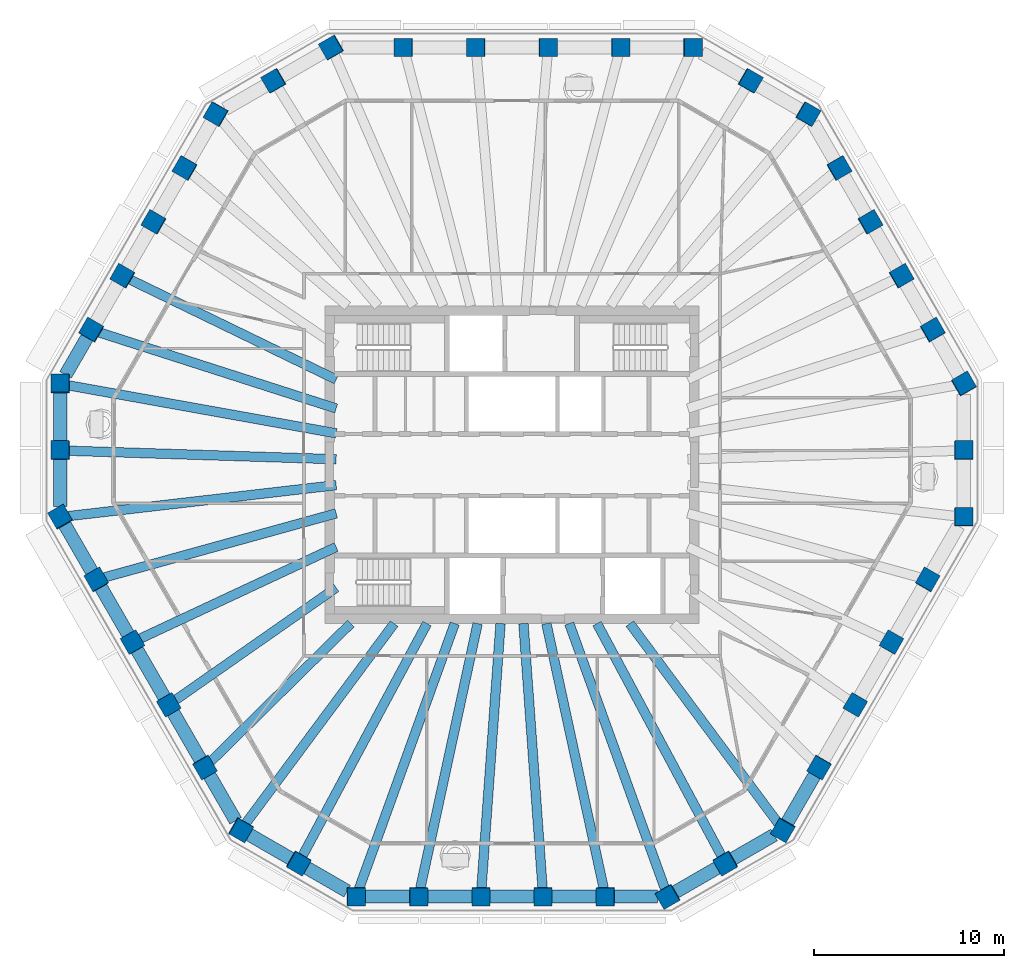
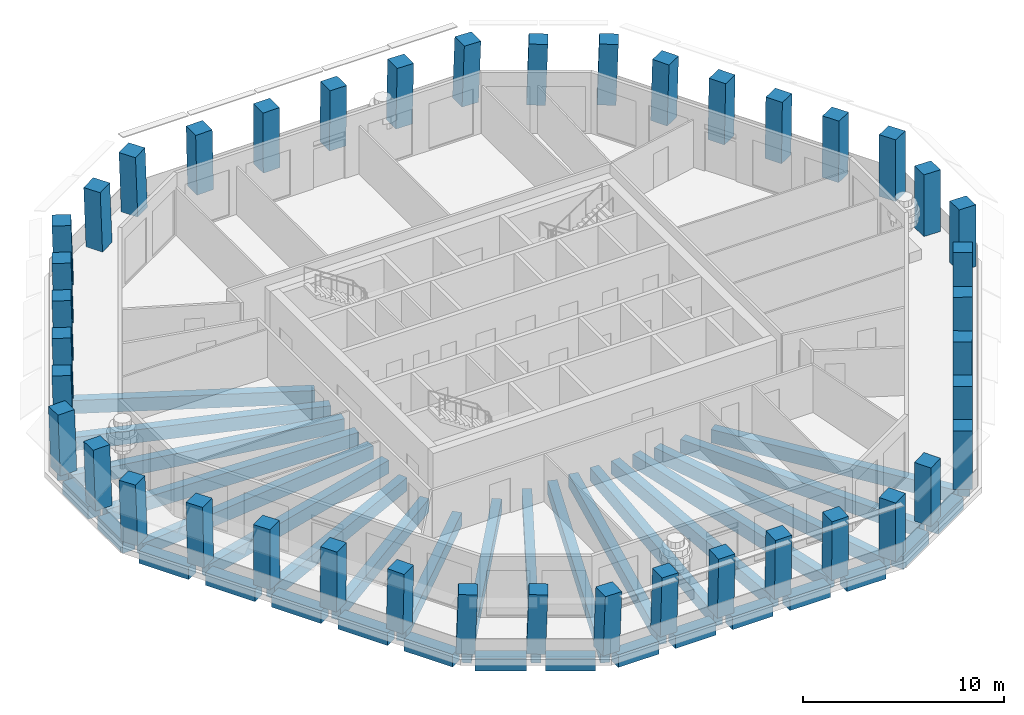
# One storey, part 1 of 11: 42 columns, 37 beams.
"""IFC4 building model written with IfcOpenShell, lengths in metres."""

from ifc_helpers import new_model, si_unit, direction, frame, origin, origin_2d, place, context, subcontext, project, spatial, rectangle, extrude, material, material_profile, profile_set, type_object, element, save


model = new_model("IFC4")

# Units and contexts
model_context = context("Model", 3, precision=1e-05, world=origin(), true_north=direction((0.0, 1.0)))
body_context = subcontext(model_context, "Body", "Model", "MODEL_VIEW")
ifc_project = project(units=[si_unit("LENGTHUNIT", "METRE"), si_unit("AREAUNIT", "SQUARE_METRE"), si_unit("VOLUMEUNIT", "CUBIC_METRE"), si_unit("PLANEANGLEUNIT", "RADIAN"), si_unit("MASSUNIT", "GRAM", prefix="KILO")], contexts=[model_context])

# Site, building, storey
site_placement = place(None, origin())
site = spatial("IfcSite", under=ifc_project, at=site_placement, CompositionType="ELEMENT")
building_placement = place(site_placement, origin())
building = spatial("IfcBuilding", under=site, at=building_placement, Name="Frailejon Research Tower", CompositionType="ELEMENT")
storey_placement = place(building_placement, frame((0.0, 0.0, 287.0)))
storey = spatial("IfcBuildingStorey", under=building, at=storey_placement, Name="L63", CompositionType="ELEMENT", Elevation=287.0)

# Columns
ifc_material_1 = material(Name="Concrete C50/60", Category="concrete")
ifc_material_profile_1 = material_profile(ifc_material_1, rectangle(XDim=0.949951171875, YDim=0.949951171875, at=origin_2d()), Name="Column 950")
ifc_profile_set_1 = profile_set([ifc_material_profile_1], Name="Concrete C50/60")
column_type = type_object("IfcColumnType", Name="Column 950", PredefinedType="COLUMN", material=ifc_profile_set_1)
for number, where, z_axis, x_axis, name in (
    (1, (23.75927734375, -2.747802734375, 0.0), (0.018115165867, 0.031417446337, 0.999342176049), (-0.000700571395, 0.999506341588, -0.031409908073), "Column C01"),
    (2, (23.75927734375, 0.754150390625, 0.0), (0.018115165867, 0.031417446337, 0.999342176049), (-0.000700571395, 0.999506341588, -0.031409908073), "Column C02"),
    (3, (23.75927734375, 4.256103515625, 0.0), (0.018115165867, 0.031417446337, 0.999342176049), (-0.500524543364, 0.865532325635, -0.018137661659), "Column C03"),
):
    element("IfcColumn", number, at=place(storey_placement, frame(where, z_axis=z_axis, x_axis=x_axis)), inside=storey, type_object=column_type, Name=name, PredefinedType="COLUMN", context=body_context, shape_type="SweptSolid", body=[
        extrude(rectangle(XDim=0.949951171875, YDim=0.949951171875, at=origin_2d()), origin(), (0.0, 0.0, 1.0), 3.65234375),
    ])
column_1_placement = place(storey_placement, frame((22.12060546875, 7.094482421875, 0.0), z_axis=(0.021727128018, 0.025136615799, 0.999447888814), x_axis=(-0.501407060892, 0.86514336922, -0.010858636257)))
element("IfcColumn", 4, at=column_1_placement, inside=storey, type_object=column_type, Name="Column C04", PredefinedType="COLUMN", context=body_context, shape_type="SweptSolid", body=[
    extrude(rectangle(XDim=0.949951171875, YDim=0.949951171875, at=origin_2d()), origin(), (0.0, 0.0, 1.0), 3.65185546875),
])
for number, where, z_axis, x_axis, name in (
    (5, (20.481689453125, 9.932861328125, 0.0), (0.025405336763, 0.018853434124, 0.999499433159), (-0.499535386528, 0.866285820665, -0.003643421709), "Column C05"),
    (6, (18.843017578125, 12.771240234375, 0.0), (0.029015583354, 0.012568962375, 0.99949993352), (-0.499848966802, 0.86610502362, 0.003619177736), "Column C06"),
):
    element("IfcColumn", number, at=place(storey_placement, frame(where, z_axis=z_axis, x_axis=x_axis)), inside=storey, type_object=column_type, Name=name, PredefinedType="COLUMN", context=body_context, shape_type="SweptSolid", body=[
        extrude(rectangle(XDim=0.949951171875, YDim=0.949951171875, at=origin_2d()), origin(), (0.0, 0.0, 1.0), 3.651611328125),
    ])
column_2_placement = place(storey_placement, frame((17.204345703125, 15.609619140625, 0.0), z_axis=(0.032624119908, 0.006284154245, 0.999447935715), x_axis=(-0.500158635794, 0.8658654173, 0.01088201104)))
element("IfcColumn", 7, at=column_2_placement, inside=storey, type_object=column_type, Name="Column C07", PredefinedType="COLUMN", context=body_context, shape_type="SweptSolid", body=[
    extrude(rectangle(XDim=0.949951171875, YDim=0.949951171875, at=origin_2d()), origin(), (0.0, 0.0, 1.0), 3.65185546875),
])
for number, where, z_axis, x_axis, name in (
    (8, (15.565673828125, 18.447998046875, 0.0), (0.036230378439, 0.0, 0.99934346432), (-0.865314641241, 0.500246354177, 0.031371273281), "Column C08"),
    (9, (12.53271484375, 20.198974609375, 0.0), (0.036297136169, 0.0, 0.99934104184), (-0.865312543657, 0.500246354177, 0.031429077673), "Column C09"),
    (10, (9.5, 21.949951171875, 0.0), (0.036297136169, 0.0, 0.99934104184), (-0.99934104184, 0.0, 0.036297136169), "Column C10"),
):
    element("IfcColumn", number, at=place(storey_placement, frame(where, z_axis=z_axis, x_axis=x_axis)), inside=storey, type_object=column_type, Name=name, PredefinedType="COLUMN", context=body_context, shape_type="SweptSolid", body=[
        extrude(rectangle(XDim=0.949951171875, YDim=0.949951171875, at=origin_2d()), origin(), (0.0, 0.0, 1.0), 3.65234375),
    ])
column_3_placement = place(storey_placement, frame((5.699951171875, 21.949951171875, 0.0), z_axis=(0.021800837506, 0.0, 0.999762333499), x_axis=(-0.999762333499, 0.0, 0.021800837506)))
element("IfcColumn", 11, at=column_3_placement, inside=storey, type_object=column_type, Name="Column C11", PredefinedType="COLUMN", context=body_context, shape_type="SweptSolid", body=[
    extrude(rectangle(XDim=0.949951171875, YDim=0.949951171875, at=origin_2d()), origin(), (0.0, 0.0, 1.0), 3.65087890625),
])
for number, where, z_axis, x_axis, name in (
    (12, (1.89990234375, 21.949951171875, 0.0), (0.00729077612, 0.0, 0.999973421939), (-0.999973421939, 0.0, 0.00729077612), "Column C12"),
    (13, (-1.89990234375, 21.949951171875, 0.0), (-0.00729077612, 0.0, 0.999973421939), (-0.999973421939, 0.0, -0.00729077612), "Column C13"),
):
    element("IfcColumn", number, at=place(storey_placement, frame(where, z_axis=z_axis, x_axis=x_axis)), inside=storey, type_object=column_type, Name=name, PredefinedType="COLUMN", context=body_context, shape_type="SweptSolid", body=[
        extrude(rectangle(XDim=0.949951171875, YDim=0.949951171875, at=origin_2d()), origin(), (0.0, 0.0, 1.0), 3.64990234375),
    ])
column_4_placement = place(storey_placement, frame((-5.699951171875, 21.949951171875, 0.0), z_axis=(-0.021800837506, 0.0, 0.999762333499), x_axis=(-0.999762333499, 0.0, -0.021800837506)))
element("IfcColumn", 14, at=column_4_placement, inside=storey, type_object=column_type, Name="Column C14", PredefinedType="COLUMN", context=body_context, shape_type="SweptSolid", body=[
    extrude(rectangle(XDim=0.949951171875, YDim=0.949951171875, at=origin_2d()), origin(), (0.0, 0.0, 1.0), 3.65087890625),
])
for number, where, z_axis, x_axis, name in (
    (15, (-9.5, 21.949951171875, 0.0), (-0.036297136169, 0.0, 0.99934104184), (-0.865312543657, -0.500246354177, -0.031429077673), "Column C15"),
    (16, (-12.53271484375, 20.198974609375, 0.0), (-0.036297136169, 0.0, 0.99934104184), (-0.865312543657, -0.500246354177, -0.031429077673), "Column C16"),
    (17, (-15.565673828125, 18.447998046875, 0.0), (-0.036230378439, 0.0, 0.99934346432), (-0.499425499283, -0.866167613071, -0.018106262248), "Column C17"),
):
    element("IfcColumn", number, at=place(storey_placement, frame(where, z_axis=z_axis, x_axis=x_axis)), inside=storey, type_object=column_type, Name=name, PredefinedType="COLUMN", context=body_context, shape_type="SweptSolid", body=[
        extrude(rectangle(XDim=0.949951171875, YDim=0.949951171875, at=origin_2d()), origin(), (0.0, 0.0, 1.0), 3.65234375),
    ])
column_5_placement = place(storey_placement, frame((-17.204345703125, 15.609619140625, 0.0), z_axis=(-0.032624119908, 0.006284154245, 0.999447935715), x_axis=(-0.500158635794, -0.8658654173, -0.01088201104)))
element("IfcColumn", 18, at=column_5_placement, inside=storey, type_object=column_type, Name="Column C18", PredefinedType="COLUMN", context=body_context, shape_type="SweptSolid", body=[
    extrude(rectangle(XDim=0.949951171875, YDim=0.949951171875, at=origin_2d()), origin(), (0.0, 0.0, 1.0), 3.65185546875),
])
for number, where, z_axis, x_axis, name in (
    (19, (-18.843017578125, 12.771240234375, 0.0), (-0.029015583354, 0.012568962375, 0.99949993352), (-0.499848966802, -0.86610502362, -0.003619177736), "Column C19"),
    (20, (-20.481689453125, 9.932861328125, 0.0), (-0.025405336763, 0.018853434124, 0.999499433159), (-0.499535386528, -0.866285820665, 0.003643421709), "Column C20"),
):
    element("IfcColumn", number, at=place(storey_placement, frame(where, z_axis=z_axis, x_axis=x_axis)), inside=storey, type_object=column_type, Name=name, PredefinedType="COLUMN", context=body_context, shape_type="SweptSolid", body=[
        extrude(rectangle(XDim=0.949951171875, YDim=0.949951171875, at=origin_2d()), origin(), (0.0, 0.0, 1.0), 3.651611328125),
    ])
column_6_placement = place(storey_placement, frame((-22.12060546875, 7.094482421875, 0.0), z_axis=(-0.021727128018, 0.025136615799, 0.999447888814), x_axis=(-0.501407060892, -0.86514336922, 0.010858636257)))
element("IfcColumn", 21, at=column_6_placement, inside=storey, type_object=column_type, Name="Column C21", PredefinedType="COLUMN", context=body_context, shape_type="SweptSolid", body=[
    extrude(rectangle(XDim=0.949951171875, YDim=0.949951171875, at=origin_2d()), origin(), (0.0, 0.0, 1.0), 3.65185546875),
])
for number, where, z_axis, x_axis, name in (
    (22, (-23.75927734375, 4.256103515625, 0.0), (-0.018115165867, 0.031417446337, 0.999342176049), (-0.000700571395, -0.999506341588, 0.031409908073), "Column C22"),
    (23, (-23.75927734375, 0.754150390625, 0.0), (-0.018115165867, 0.031417446337, 0.999342176049), (-0.000700571395, -0.999506341588, 0.031409908073), "Column C23"),
    (24, (-23.75927734375, -2.747802734375, 0.0), (-0.018115165867, 0.031417446337, 0.999342176049), (0.499559043097, -0.865520391176, 0.036265891942), "Column C24"),
):
    element("IfcColumn", number, at=place(storey_placement, frame(where, z_axis=z_axis, x_axis=x_axis)), inside=storey, type_object=column_type, Name=name, PredefinedType="COLUMN", context=body_context, shape_type="SweptSolid", body=[
        extrude(rectangle(XDim=0.949951171875, YDim=0.949951171875, at=origin_2d()), origin(), (0.0, 0.0, 1.0), 3.65234375),
    ])
column_7_placement = place(storey_placement, frame((-21.859375, -6.03857421875, 0.0), z_axis=(-0.010833557325, 0.018858414602, 0.999763469144), x_axis=(0.498285075857, -0.866740432575, 0.0217486946)))
element("IfcColumn", 25, at=column_7_placement, inside=storey, type_object=column_type, Name="Column C25", PredefinedType="COLUMN", context=body_context, shape_type="SweptSolid", body=[
    extrude(rectangle(XDim=0.949951171875, YDim=0.949951171875, at=origin_2d()), origin(), (0.0, 0.0, 1.0), 3.65087890625),
])
for number, where, z_axis, x_axis, name in (
    (26, (-19.959228515625, -9.32958984375, 0.0), (-0.003611945175, 0.00628746012, 0.999973710503), (0.497890394796, -0.867209649664, 0.007251089524), "Column C26"),
    (27, (-18.059326171875, -12.62060546875, 0.0), (0.003678833691, -0.006220573331, 0.999973884984), (0.506239917514, -0.862362404742, -0.007226949773), "Column C27"),
):
    element("IfcColumn", number, at=place(storey_placement, frame(where, z_axis=z_axis, x_axis=x_axis)), inside=storey, type_object=column_type, Name=name, PredefinedType="COLUMN", context=body_context, shape_type="SweptSolid", body=[
        extrude(rectangle(XDim=0.949951171875, YDim=0.949951171875, at=origin_2d()), origin(), (0.0, 0.0, 1.0), 3.64990234375),
    ])
column_8_placement = place(storey_placement, frame((-16.1591796875, -15.911376953125, 0.0), z_axis=(0.010900423214, -0.018858400897, 0.999762742599), x_axis=(0.500590318805, -0.865410234662, -0.021782067434)))
element("IfcColumn", 28, at=column_8_placement, inside=storey, type_object=column_type, Name="Column C28", PredefinedType="COLUMN", context=body_context, shape_type="SweptSolid", body=[
    extrude(rectangle(XDim=0.949951171875, YDim=0.949951171875, at=origin_2d()), origin(), (0.0, 0.0, 1.0), 3.65087890625),
])
for number, where, z_axis, x_axis, name in (
    (29, (-14.25927734375, -19.202392578125, 0.0), (0.018115203871, -0.031350666477, 0.999344272561), (0.866279364282, -0.498575584131, -0.031344057303), "Column C29"),
    (30, (-11.2265625, -20.953125, 0.0), (0.018115127782, -0.031484225777, 0.999340075086), (0.865231230723, -0.500385742454, -0.031448785834), "Column C30"),
    (31, (-8.193603515625, -22.7041015625, 0.0), (0.018115165867, -0.031417446337, 0.999342176049), (0.999835642796, -0.000157281862, -0.01812905563), "Column C31"),
):
    element("IfcColumn", number, at=place(storey_placement, frame(where, z_axis=z_axis, x_axis=x_axis)), inside=storey, type_object=column_type, Name=name, PredefinedType="COLUMN", context=body_context, shape_type="SweptSolid", body=[
        extrude(rectangle(XDim=0.949951171875, YDim=0.949951171875, at=origin_2d()), origin(), (0.0, 0.0, 1.0), 3.65234375),
    ])
column_9_placement = place(storey_placement, frame((-4.916259765625, -22.7041015625, 0.0), z_axis=(0.010896978963, -0.031420736888, 0.99944684358), x_axis=(0.99994040428, 0.001008258557, -0.0108706625)))
element("IfcColumn", 32, at=column_9_placement, inside=storey, type_object=column_type, Name="Column C32", PredefinedType="COLUMN", context=body_context, shape_type="SweptSolid", body=[
    extrude(rectangle(XDim=0.949951171875, YDim=0.949951171875, at=origin_2d()), origin(), (0.0, 0.0, 1.0), 3.65185546875),
])
for number, where, z_axis, x_axis, name in (
    (33, (-1.638671875, -22.7041015625, 0.0), (0.003610232938, -0.031422397791, 0.999499674405), (0.999993379572, -0.000341341874, -0.00362274737), "Column C33"),
    (34, (1.638671875, -22.7041015625, 0.0), (-0.003610232938, -0.031422397791, 0.999499674405), (0.999993379572, 0.000341341874, 0.00362274737), "Column C34"),
):
    element("IfcColumn", number, at=place(storey_placement, frame(where, z_axis=z_axis, x_axis=x_axis)), inside=storey, type_object=column_type, Name=name, PredefinedType="COLUMN", context=body_context, shape_type="SweptSolid", body=[
        extrude(rectangle(XDim=0.949951171875, YDim=0.949951171875, at=origin_2d()), origin(), (0.0, 0.0, 1.0), 3.651611328125),
    ])
column_10_placement = place(storey_placement, frame((4.916259765625, -22.7041015625, 0.0), z_axis=(-0.010896978963, -0.031420736888, 0.99944684358), x_axis=(0.99994040428, -0.001008258557, 0.0108706625)))
element("IfcColumn", 35, at=column_10_placement, inside=storey, type_object=column_type, Name="Column C35", PredefinedType="COLUMN", context=body_context, shape_type="SweptSolid", body=[
    extrude(rectangle(XDim=0.949951171875, YDim=0.949951171875, at=origin_2d()), origin(), (0.0, 0.0, 1.0), 3.65185546875),
])
for number, where, z_axis, x_axis, name in (
    (36, (8.193603515625, -22.7041015625, 0.0), (-0.018115165867, -0.031417446337, 0.999342176049), (0.865519692755, 0.499889378995, 0.031404939456), "Column C36"),
    (37, (11.2265625, -20.953125, 0.0), (-0.018115127782, -0.031484225777, 0.999340075086), (0.865231230723, 0.500385742454, 0.031448785834), "Column C37"),
    (38, (14.25927734375, -19.202392578125, 0.0), (-0.018115203871, -0.031350666477, 0.999344272561), (0.500358039071, 0.865061158582, 0.036208074379), "Column C38"),
):
    element("IfcColumn", number, at=place(storey_placement, frame(where, z_axis=z_axis, x_axis=x_axis)), inside=storey, type_object=column_type, Name=name, PredefinedType="COLUMN", context=body_context, shape_type="SweptSolid", body=[
        extrude(rectangle(XDim=0.949951171875, YDim=0.949951171875, at=origin_2d()), origin(), (0.0, 0.0, 1.0), 3.65234375),
    ])
column_11_placement = place(storey_placement, frame((16.1591796875, -15.911376953125, 0.0), z_axis=(-0.010900423214, -0.018858400897, 0.999762742599), x_axis=(0.500590318805, 0.865410234662, 0.021782067434)))
element("IfcColumn", 39, at=column_11_placement, inside=storey, type_object=column_type, Name="Column C39", PredefinedType="COLUMN", context=body_context, shape_type="SweptSolid", body=[
    extrude(rectangle(XDim=0.949951171875, YDim=0.949951171875, at=origin_2d()), origin(), (0.0, 0.0, 1.0), 3.65087890625),
])
for number, where, z_axis, x_axis, name in (
    (40, (18.059326171875, -12.62060546875, 0.0), (-0.003678833691, -0.006220573331, 0.999973884984), (0.506239917514, 0.862362404742, 0.007226949773), "Column C40"),
    (41, (19.959228515625, -9.32958984375, 0.0), (0.003611945175, 0.00628746012, 0.999973710503), (0.497890394796, 0.867209649664, -0.007251089524), "Column C41"),
):
    element("IfcColumn", number, at=place(storey_placement, frame(where, z_axis=z_axis, x_axis=x_axis)), inside=storey, type_object=column_type, Name=name, PredefinedType="COLUMN", context=body_context, shape_type="SweptSolid", body=[
        extrude(rectangle(XDim=0.949951171875, YDim=0.949951171875, at=origin_2d()), origin(), (0.0, 0.0, 1.0), 3.64990234375),
    ])
column_12_placement = place(storey_placement, frame((21.859375, -6.03857421875, 0.0), z_axis=(0.010833557325, 0.018858414602, 0.999763469144), x_axis=(0.498285075857, 0.866740432575, -0.0217486946)))
element("IfcColumn", 42, at=column_12_placement, inside=storey, type_object=column_type, Name="Column C42", PredefinedType="COLUMN", context=body_context, shape_type="SweptSolid", body=[
    extrude(rectangle(XDim=0.949951171875, YDim=0.949951171875, at=origin_2d()), origin(), (0.0, 0.0, 1.0), 3.65087890625),
])

# Beams
ifc_material_2 = material(Name="Concrete C60/75", Category="concrete")
ifc_material_profile_2 = material_profile(ifc_material_2, rectangle(XDim=0.5, YDim=0.800048828125, at=origin_2d()), Name="Girder 500x800")
ifc_profile_set_2 = profile_set([ifc_material_profile_2], Name="Concrete C60/75")
beam_type_1 = type_object("IfcBeamType", Name="Girder 500x800", PredefinedType="BEAM", material=ifc_profile_set_2)
beam_1_placement = place(storey_placement, frame((-20.188232421875, 9.79052734375, -0.699951171875), z_axis=(0.899772055944, -0.436360226582, 0.0), x_axis=(0.436360226582, 0.899772055944, 0.0)))
element("IfcBeam", 43, at=beam_1_placement, inside=storey, type_object=beam_type_1, Name="Girder 500x800", PredefinedType="BEAM", context=body_context, shape_type="SweptSolid", body=[
    extrude(rectangle(XDim=0.5, YDim=0.800048828125, at=origin_2d()), origin(), (0.0, 0.0, 1.0), 12.15673828125),
])
beam_2_placement = place(storey_placement, frame((-21.800537109375, 6.991943359375, -0.699951171875), z_axis=(0.952226293562, -0.30539332974, 0.0), x_axis=(0.30539332974, 0.952226293562, 0.0)))
element("IfcBeam", 44, at=beam_2_placement, inside=storey, type_object=beam_type_1, Name="Girder 500x800", PredefinedType="BEAM", context=body_context, shape_type="SweptSolid", body=[
    extrude(rectangle(XDim=0.5, YDim=0.800048828125, at=origin_2d()), origin(), (0.0, 0.0, 1.0), 13.18017578125),
])
beam_3_placement = place(storey_placement, frame((-23.431884765625, 4.197509765625, -0.699951171875), z_axis=(0.984330761433, -0.176331937259, 0.0), x_axis=(0.176331937259, 0.984330761433, 0.0)))
element("IfcBeam", 45, at=beam_3_placement, inside=storey, type_object=beam_type_1, Name="Girder 500x800", PredefinedType="BEAM", context=body_context, shape_type="SweptSolid", body=[
    extrude(rectangle(XDim=0.5, YDim=0.800048828125, at=origin_2d()), origin(), (0.0, 0.0, 1.0), 14.40771484375),
])
beam_4_placement = place(storey_placement, frame((-23.43408203125, 0.743896484375, -0.699951171875), z_axis=(0.99949668312, -0.031723499667, 0.0), x_axis=(0.031723499667, 0.99949668312, 0.0)))
element("IfcBeam", 46, at=beam_4_placement, inside=storey, type_object=beam_type_1, Name="Girder 500x800", PredefinedType="BEAM", context=body_context, shape_type="SweptSolid", body=[
    extrude(rectangle(XDim=0.5, YDim=0.800048828125, at=origin_2d()), origin(), (0.0, 0.0, 1.0), 14.191162109375),
])
beam_5_placement = place(storey_placement, frame((-23.394287109375, -2.70556640625, -0.699951171875), z_axis=(0.99337728361, 0.114898095753, 0.0), x_axis=(-0.114898095753, 0.99337728361, 0.0)))
element("IfcBeam", 47, at=beam_5_placement, inside=storey, type_object=beam_type_1, Name="Girder 500x800", PredefinedType="BEAM", context=body_context, shape_type="SweptSolid", body=[
    extrude(rectangle(XDim=0.5, YDim=0.800048828125, at=origin_2d()), origin(), (0.0, 0.0, 1.0), 14.238525390625),
])
beam_6_placement = place(storey_placement, frame((-21.53076171875, -5.947998046875, -0.699951171875), z_axis=(0.963896341877, 0.266277753702, 0.0), x_axis=(-0.266277753702, 0.963896341877, 0.0)))
element("IfcBeam", 48, at=beam_6_placement, inside=storey, type_object=beam_type_1, Name="Girder 500x800", PredefinedType="BEAM", context=body_context, shape_type="SweptSolid", body=[
    extrude(rectangle(XDim=0.5, YDim=0.800048828125, at=origin_2d()), origin(), (0.0, 0.0, 1.0), 12.74072265625),
])
beam_7_placement = place(storey_placement, frame((-19.663330078125, -9.191162109375, -0.699951171875), z_axis=(0.905920341941, 0.423448148015, 0.0), x_axis=(-0.423448148015, 0.905920341941, 0.0)))
element("IfcBeam", 49, at=beam_7_placement, inside=storey, type_object=beam_type_1, Name="Girder 500x800", PredefinedType="BEAM", context=body_context, shape_type="SweptSolid", body=[
    extrude(rectangle(XDim=0.5, YDim=0.800048828125, at=origin_2d()), origin(), (0.0, 0.0, 1.0), 11.494873046875),
])
beam_8_placement = place(storey_placement, frame((-17.79150390625, -12.433349609375, -0.699951171875), z_axis=(0.819674147619, 0.572830072294, 0.0), x_axis=(-0.572830072294, 0.819674147619, 0.0)))
element("IfcBeam", 50, at=beam_8_placement, inside=storey, type_object=beam_type_1, Name="Girder 500x800", PredefinedType="BEAM", context=body_context, shape_type="SweptSolid", body=[
    extrude(rectangle(XDim=0.5, YDim=0.800048828125, at=origin_2d()), origin(), (0.0, 0.0, 1.0), 10.420654296875),
])
beam_9_placement = place(storey_placement, frame((-15.91650390625, -15.67236328125, -0.699951171875), z_axis=(0.71255962234, 0.701611562483, 0.0), x_axis=(-0.701611562483, 0.71255962234, 0.0)))
element("IfcBeam", 51, at=beam_9_placement, inside=storey, type_object=beam_type_1, Name="Girder 500x800", PredefinedType="BEAM", context=body_context, shape_type="SweptSolid", body=[
    extrude(rectangle(XDim=0.5, YDim=0.800048828125, at=origin_2d()), origin(), (0.0, 0.0, 1.0), 10.436279296875),
])
beam_10_placement = place(storey_placement, frame((-14.063720703125, -18.938720703125, -0.699951171875), z_axis=(0.596199257313, 0.802836499905, 0.0), x_axis=(-0.802836499905, 0.596199257313, 0.0)))
element("IfcBeam", 52, at=beam_10_placement, inside=storey, type_object=beam_type_1, Name="Girder 500x800", PredefinedType="BEAM", context=body_context, shape_type="SweptSolid", body=[
    extrude(rectangle(XDim=0.5, YDim=0.800048828125, at=origin_2d()), origin(), (0.0, 0.0, 1.0), 13.18896484375),
])
beam_11_placement = place(storey_placement, frame((-11.072998046875, -20.66650390625, -0.699951171875), z_axis=(0.472279595175, 0.881448798276, 0.0), x_axis=(-0.881448798276, 0.472279595175, 0.0)))
element("IfcBeam", 53, at=beam_11_placement, inside=storey, type_object=beam_type_1, Name="Girder 500x800", PredefinedType="BEAM", context=body_context, shape_type="SweptSolid", body=[
    extrude(rectangle(XDim=0.5, YDim=0.800048828125, at=origin_2d()), origin(), (0.0, 0.0, 1.0), 13.972900390625),
])
beam_12_placement = place(storey_placement, frame((-8.0732421875, -22.370361328125, -0.699951171875), z_axis=(0.339462931286, 0.94061943329, 0.0), x_axis=(-0.94061943329, 0.339462931286, 0.0)))
element("IfcBeam", 54, at=beam_12_placement, inside=storey, type_object=beam_type_1, Name="Girder 500x800", PredefinedType="BEAM", context=body_context, shape_type="SweptSolid", body=[
    extrude(rectangle(XDim=0.5, YDim=0.800048828125, at=origin_2d()), origin(), (0.0, 0.0, 1.0), 14.9052734375),
])
beam_13_placement = place(storey_placement, frame((-4.84521484375, -22.375732421875, -0.699951171875), z_axis=(0.211634993985, 0.977348775679, 0.0), x_axis=(-0.977348775679, 0.211634993985, 0.0)))
element("IfcBeam", 55, at=beam_13_placement, inside=storey, type_object=beam_type_1, Name="Girder 500x800", PredefinedType="BEAM", context=body_context, shape_type="SweptSolid", body=[
    extrude(rectangle(XDim=0.5, YDim=0.800048828125, at=origin_2d()), origin(), (0.0, 0.0, 1.0), 14.3505859375),
])
for number, where, z_axis, x_axis, name in (
    (56, (-1.615234375, -22.37890625, -0.699951171875), (0.071982220093, 0.997405915358, 0.0), (-0.997405915358, 0.071982220093, 0.0), "Girder 500x800"),
    (57, (1.615234375, -22.37890625, -0.699951171875), (-0.071982220093, 0.997405915358, 0.0), (-0.997405915358, -0.071982220093, 0.0), "Girder 500x800"),
):
    element("IfcBeam", number, at=place(storey_placement, frame(where, z_axis=z_axis, x_axis=x_axis)), inside=storey, type_object=beam_type_1, Name=name, PredefinedType="BEAM", context=body_context, shape_type="SweptSolid", body=[
        extrude(rectangle(XDim=0.5, YDim=0.800048828125, at=origin_2d()), origin(), (0.0, 0.0, 1.0), 14.065185546875),
    ])
beam_14_placement = place(storey_placement, frame((4.84521484375, -22.375732421875, -0.699951171875), z_axis=(-0.211634993985, 0.977348775679, 0.0), x_axis=(-0.977348775679, -0.211634993985, 0.0)))
element("IfcBeam", 58, at=beam_14_placement, inside=storey, type_object=beam_type_1, Name="Girder 500x800", PredefinedType="BEAM", context=body_context, shape_type="SweptSolid", body=[
    extrude(rectangle(XDim=0.5, YDim=0.800048828125, at=origin_2d()), origin(), (0.0, 0.0, 1.0), 14.3505859375),
])
beam_15_placement = place(storey_placement, frame((8.080810546875, -22.391357421875, -0.699951171875), z_axis=(-0.33946239886, 0.940619625439, 0.0), x_axis=(-0.940619625439, -0.33946239886, 0.0)))
element("IfcBeam", 59, at=beam_15_placement, inside=storey, type_object=beam_type_1, Name="Girder 500x800", PredefinedType="BEAM", context=body_context, shape_type="SweptSolid", body=[
    extrude(rectangle(XDim=0.5, YDim=0.800048828125, at=origin_2d()), origin(), (0.0, 0.0, 1.0), 14.927734375),
])
beam_16_placement = place(storey_placement, frame((11.072998046875, -20.66650390625, -0.699951171875), z_axis=(-0.472279595175, 0.881448798276, 0.0), x_axis=(-0.881448798276, -0.472279595175, 0.0)))
element("IfcBeam", 60, at=beam_16_placement, inside=storey, type_object=beam_type_1, Name="Girder 500x800", PredefinedType="BEAM", context=body_context, shape_type="SweptSolid", body=[
    extrude(rectangle(XDim=0.5, YDim=0.800048828125, at=origin_2d()), origin(), (0.0, 0.0, 1.0), 13.972900390625),
])
beam_17_placement = place(storey_placement, frame((14.0400390625, -18.9072265625, -0.699951171875), z_axis=(-0.596184866652, 0.80284718644, 0.0), x_axis=(-0.80284718644, -0.596184866652, 0.0)))
element("IfcBeam", 61, at=beam_17_placement, inside=storey, type_object=beam_type_1, Name="Girder 500x800", PredefinedType="BEAM", context=body_context, shape_type="SweptSolid", body=[
    extrude(rectangle(XDim=0.5, YDim=0.800048828125, at=origin_2d()), origin(), (0.0, 0.0, 1.0), 13.149658203125),
])
ifc_material_3 = material(Name="Concrete C60/75", Category="concrete")
ifc_material_profile_3 = material_profile(ifc_material_3, rectangle(XDim=0.699951171875, YDim=0.75, at=origin_2d()), Name="Spandrel 700x750")
ifc_profile_set_3 = profile_set([ifc_material_profile_3], Name="Concrete C60/75")
beam_type_2 = type_object("IfcBeamType", Name="Spandrel 700x750", PredefinedType="BEAM", material=ifc_profile_set_3)
beam_18_placement = place(storey_placement, frame((-22.35791015625, 6.68310546875, -0.72509765625), z_axis=(-0.500088105676, -0.865974529972, 0.0), x_axis=(0.865974529972, -0.500088105676, 0.0)))
element("IfcBeam", 62, at=beam_18_placement, inside=storey, type_object=beam_type_2, Name="Spandrel 700x750", PredefinedType="BEAM", context=body_context, shape_type="SweptSolid", body=[
    extrude(rectangle(XDim=0.699951171875, YDim=0.75, at=origin_2d()), origin(), (0.0, 0.0, 1.0), 2.25390625),
])
beam_19_placement = place(storey_placement, frame((-23.75927734375, 3.78125, -0.72509765625), z_axis=(0.0, -1.0, 0.0), x_axis=(1.0, 0.0, 0.0)))
element("IfcBeam", 63, at=beam_19_placement, inside=storey, type_object=beam_type_2, Name="Spandrel 700x750", PredefinedType="BEAM", context=body_context, shape_type="SweptSolid", body=[
    extrude(rectangle(XDim=0.699951171875, YDim=0.75, at=origin_2d()), origin(), (0.0, 0.0, 1.0), 2.552001953125),
])
beam_20_placement = place(storey_placement, frame((-23.75927734375, 0.279296875, -0.72509765625), z_axis=(0.0, -1.0, 0.0), x_axis=(1.0, 0.0, 0.0)))
element("IfcBeam", 64, at=beam_20_placement, inside=storey, type_object=beam_type_2, Name="Spandrel 700x750", PredefinedType="BEAM", context=body_context, shape_type="SweptSolid", body=[
    extrude(rectangle(XDim=0.699951171875, YDim=0.75, at=origin_2d()), origin(), (0.0, 0.0, 1.0), 2.478515625),
])
beam_21_placement = place(storey_placement, frame((-23.521728515625, -3.1591796875, -0.72509765625), z_axis=(0.500036373335, -0.866004402611, 0.0), x_axis=(0.866004402611, 0.500036373335, 0.0)))
element("IfcBeam", 65, at=beam_21_placement, inside=storey, type_object=beam_type_2, Name="Spandrel 700x750", PredefinedType="BEAM", context=body_context, shape_type="SweptSolid", body=[
    extrude(rectangle(XDim=0.699951171875, YDim=0.75, at=origin_2d()), origin(), (0.0, 0.0, 1.0), 2.849853515625),
])
beam_22_placement = place(storey_placement, frame((-21.621826171875, -6.449951171875, -0.72509765625), z_axis=(0.499999279071, -0.866025820012, 0.0), x_axis=(0.866025820012, 0.499999279071, 0.0)))
element("IfcBeam", 66, at=beam_22_placement, inside=storey, type_object=beam_type_2, Name="Spandrel 700x750", PredefinedType="BEAM", context=body_context, shape_type="SweptSolid", body=[
    extrude(rectangle(XDim=0.699951171875, YDim=0.75, at=origin_2d()), origin(), (0.0, 0.0, 1.0), 2.85009765625),
])
for number, where, z_axis, x_axis, name in (
    (67, (-19.7216796875, -9.740966796875, -0.72509765625), (0.499972122318, -0.866041498374, 0.0), (0.866041498374, 0.499972122318, 0.0), "Spandrel 700x750"),
    (68, (-17.82177734375, -13.031982421875, -0.72509765625), (0.500036373335, -0.866004402611, 0.0), (0.866004402611, 0.500036373335, 0.0), "Spandrel 700x750"),
):
    element("IfcBeam", number, at=place(storey_placement, frame(where, z_axis=z_axis, x_axis=x_axis)), inside=storey, type_object=beam_type_2, Name=name, PredefinedType="BEAM", context=body_context, shape_type="SweptSolid", body=[
        extrude(rectangle(XDim=0.699951171875, YDim=0.75, at=origin_2d()), origin(), (0.0, 0.0, 1.0), 2.849853515625),
    ])
beam_23_placement = place(storey_placement, frame((-15.921630859375, -16.32275390625, -0.72509765625), z_axis=(0.499978711542, -0.866037694333, 0.0), x_axis=(0.866037694333, 0.499978711542, 0.0)))
element("IfcBeam", 69, at=beam_23_placement, inside=storey, type_object=beam_type_2, Name="Spandrel 700x750", PredefinedType="BEAM", context=body_context, shape_type="SweptSolid", body=[
    extrude(rectangle(XDim=0.699951171875, YDim=0.75, at=origin_2d()), origin(), (0.0, 0.0, 1.0), 2.7763671875),
])
beam_24_placement = place(storey_placement, frame((-13.847900390625, -19.439697265625, -0.72509765625), z_axis=(0.865991210529, -0.500059219779, 0.0), x_axis=(0.500059219779, 0.865991210529, 0.0)))
element("IfcBeam", 70, at=beam_24_placement, inside=storey, type_object=beam_type_2, Name="Spandrel 700x750", PredefinedType="BEAM", context=body_context, shape_type="SweptSolid", body=[
    extrude(rectangle(XDim=0.699951171875, YDim=0.75, at=origin_2d()), origin(), (0.0, 0.0, 1.0), 2.552001953125),
])
beam_25_placement = place(storey_placement, frame((-10.815185546875, -21.190673828125, -0.72509765625), z_axis=(0.866028115054, -0.499995303914, 0.0), x_axis=(0.499995303914, 0.866028115054, 0.0)))
element("IfcBeam", 71, at=beam_25_placement, inside=storey, type_object=beam_type_2, Name="Spandrel 700x750", PredefinedType="BEAM", context=body_context, shape_type="SweptSolid", body=[
    extrude(rectangle(XDim=0.699951171875, YDim=0.75, at=origin_2d()), origin(), (0.0, 0.0, 1.0), 2.478515625),
])
beam_26_placement = place(storey_placement, frame((-7.71875, -22.7041015625, -0.72509765625), z_axis=(1.0, 0.0, 0.0), x_axis=(0.0, 1.0, 0.0)))
element("IfcBeam", 72, at=beam_26_placement, inside=storey, type_object=beam_type_2, Name="Spandrel 700x750", PredefinedType="BEAM", context=body_context, shape_type="SweptSolid", body=[
    extrude(rectangle(XDim=0.699951171875, YDim=0.75, at=origin_2d()), origin(), (0.0, 0.0, 1.0), 2.32763671875),
])
beam_27_placement = place(storey_placement, frame((-4.441162109375, -22.7041015625, -0.72509765625), z_axis=(1.0, 0.0, 0.0), x_axis=(0.0, 1.0, 0.0)))
element("IfcBeam", 73, at=beam_27_placement, inside=storey, type_object=beam_type_2, Name="Spandrel 700x750", PredefinedType="BEAM", context=body_context, shape_type="SweptSolid", body=[
    extrude(rectangle(XDim=0.699951171875, YDim=0.75, at=origin_2d()), origin(), (0.0, 0.0, 1.0), 2.327392578125),
])
beam_28_placement = place(storey_placement, frame((-1.163818359375, -22.7041015625, -0.72509765625), z_axis=(1.0, 0.0, 0.0), x_axis=(0.0, 1.0, 0.0)))
element("IfcBeam", 74, at=beam_28_placement, inside=storey, type_object=beam_type_2, Name="Spandrel 700x750", PredefinedType="BEAM", context=body_context, shape_type="SweptSolid", body=[
    extrude(rectangle(XDim=0.699951171875, YDim=0.75, at=origin_2d()), origin(), (0.0, 0.0, 1.0), 2.32763671875),
])
beam_29_placement = place(storey_placement, frame((2.11376953125, -22.7041015625, -0.72509765625), z_axis=(1.0, 0.0, 0.0), x_axis=(0.0, 1.0, 0.0)))
element("IfcBeam", 75, at=beam_29_placement, inside=storey, type_object=beam_type_2, Name="Spandrel 700x750", PredefinedType="BEAM", context=body_context, shape_type="SweptSolid", body=[
    extrude(rectangle(XDim=0.699951171875, YDim=0.75, at=origin_2d()), origin(), (0.0, 0.0, 1.0), 2.327392578125),
])
beam_30_placement = place(storey_placement, frame((5.39111328125, -22.7041015625, -0.72509765625), z_axis=(1.0, 0.0, 0.0), x_axis=(0.0, 1.0, 0.0)))
element("IfcBeam", 76, at=beam_30_placement, inside=storey, type_object=beam_type_2, Name="Spandrel 700x750", PredefinedType="BEAM", context=body_context, shape_type="SweptSolid", body=[
    extrude(rectangle(XDim=0.699951171875, YDim=0.75, at=origin_2d()), origin(), (0.0, 0.0, 1.0), 2.254150390625),
])
beam_31_placement = place(storey_placement, frame((8.60498046875, -22.466796875, -0.72509765625), z_axis=(0.866015130346, 0.500017793695, 0.0), x_axis=(-0.500017793695, 0.866015130346, 0.0)))
element("IfcBeam", 77, at=beam_31_placement, inside=storey, type_object=beam_type_2, Name="Spandrel 700x750", PredefinedType="BEAM", context=body_context, shape_type="SweptSolid", body=[
    extrude(rectangle(XDim=0.699951171875, YDim=0.75, at=origin_2d()), origin(), (0.0, 0.0, 1.0), 2.55224609375),
])
beam_32_placement = place(storey_placement, frame((11.637939453125, -20.7158203125, -0.72509765625), z_axis=(0.866003486907, 0.500037959224, 0.0), x_axis=(-0.500037959224, 0.866003486907, 0.0)))
element("IfcBeam", 78, at=beam_32_placement, inside=storey, type_object=beam_type_2, Name="Spandrel 700x750", PredefinedType="BEAM", context=body_context, shape_type="SweptSolid", body=[
    extrude(rectangle(XDim=0.699951171875, YDim=0.75, at=origin_2d()), origin(), (0.0, 0.0, 1.0), 2.478271484375),
])
beam_33_placement = place(storey_placement, frame((14.49658203125, -18.791015625, -0.72509765625), z_axis=(0.499999279071, 0.866025820012, 0.0), x_axis=(-0.866025820012, 0.499999279071, 0.0)))
element("IfcBeam", 79, at=beam_33_placement, inside=storey, type_object=beam_type_2, Name="Spandrel 700x750", PredefinedType="BEAM", context=body_context, shape_type="SweptSolid", body=[
    extrude(rectangle(XDim=0.699951171875, YDim=0.75, at=origin_2d()), origin(), (0.0, 0.0, 1.0), 2.85009765625),
])

save(model, "model.ifc")
